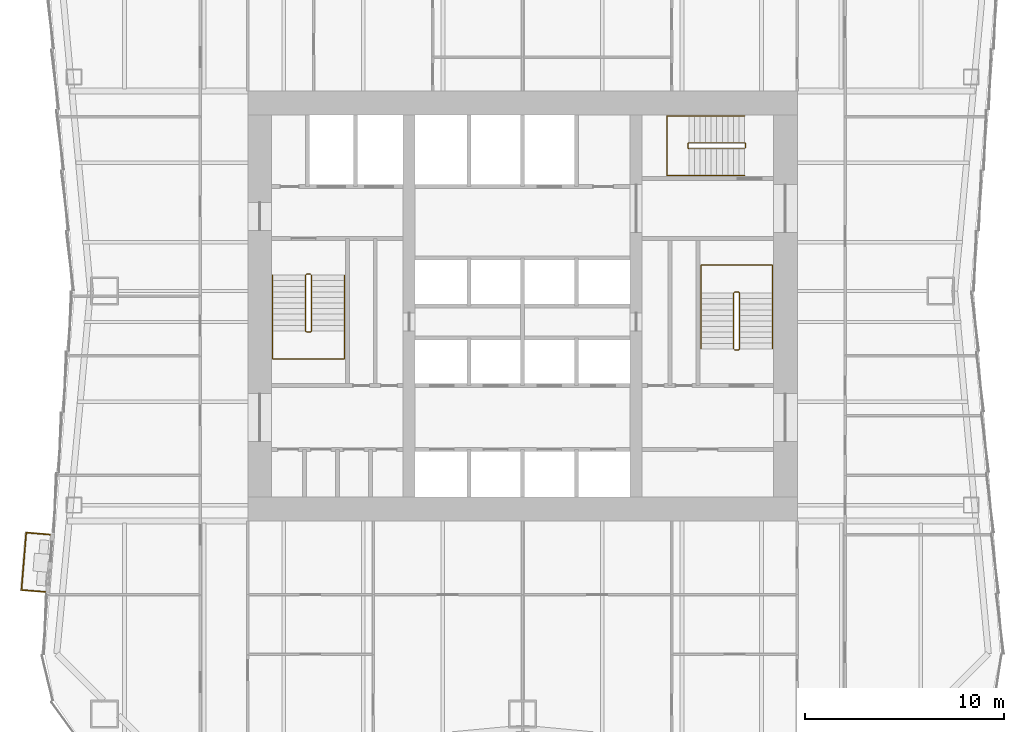
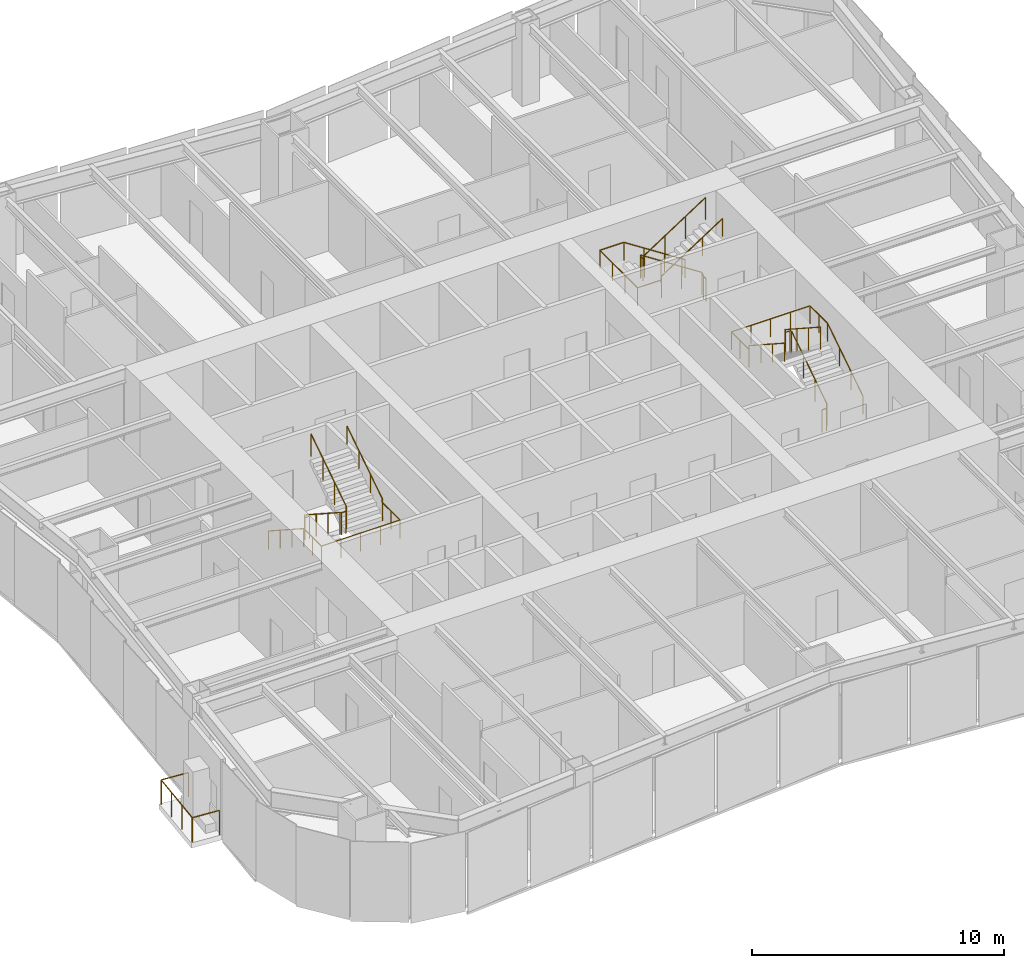
# One storey, part 8 of 9: 7 railings.
"""IFC4 building model written with IfcOpenShell, lengths in metres."""

from ifc_helpers import new_model, si_unit, direction, frame, origin, origin_2d, place, context, subcontext, project, spatial, circle, extrude, material, type_object, element, save


model = new_model("IFC4")

# Units and contexts
model_context = context("Model", 3, precision=1e-05, world=origin(), true_north=direction((0.0, 1.0)))
body_context = subcontext(model_context, "Body", "Model", "MODEL_VIEW")
ifc_project = project(units=[si_unit("LENGTHUNIT", "METRE"), si_unit("AREAUNIT", "SQUARE_METRE"), si_unit("VOLUMEUNIT", "CUBIC_METRE"), si_unit("PLANEANGLEUNIT", "RADIAN"), si_unit("MASSUNIT", "GRAM", prefix="KILO")], contexts=[model_context])

# Site, building, storey
site_placement = place(None, origin())
site = spatial("IfcSite", under=ifc_project, at=site_placement, CompositionType="ELEMENT")
building_placement = place(site_placement, origin())
building = spatial("IfcBuilding", under=site, at=building_placement, Name="Verdant Reach Tower", CompositionType="ELEMENT")
storey_placement = place(building_placement, frame((0.0, 0.0, 78.0)))
storey = spatial("IfcBuildingStorey", under=building, at=storey_placement, Name="L17", CompositionType="ELEMENT", Elevation=78.0)

# Railings
ifc_material_1 = material(Name="Stainless steel", Category="steel")
railing_type_1 = type_object("IfcRailingType", Name="CO-GUARD", PredefinedType="GUARDRAIL", material=ifc_material_1)
railing_1_placement = place(storey_placement, frame((-10.64990234375, 29.60009765625, 0.0)))
element("IfcRailing", 1, at=railing_1_placement, inside=storey, type_object=railing_type_1, Name="L17 ST-1 stair guard 1", PredefinedType="GUARDRAIL", context=body_context, shape_type="SweptSolid", body=[
    extrude(circle(Radius=0.02392578125, at=origin_2d()), frame((0.0, 0.0, 1.076171875), z_axis=(-1.0, 0.0, 0.0), x_axis=(0.0, -1.0, 0.0)), (0.0, 0.0, 1.0), 0.2001953125),
    extrude(circle(Radius=0.02392578125, at=origin_2d()), frame((-0.2001953125, 0.0, 1.076171875), z_axis=(-0.25526617399, -0.256517478764, 0.932222056972), x_axis=(0.708833529934, -0.705375805398, 0.0)), (0.0, 0.0, 1.0), 0.195068359375),
    extrude(circle(Radius=0.02392578125, at=origin_2d()), frame((-0.25, -0.050048828125, 1.2578125), z_axis=(0.0, -0.838705829183, 0.544584733623), x_axis=(1.0, 0.0, 0.0)), (0.0, 0.0, 1.0), 3.338623046875),
    extrude(circle(Radius=0.02392578125, at=origin_2d()), frame((-0.25, -2.85009765625, 3.076171875), z_axis=(0.705375805398, -0.708833529934, 0.0), x_axis=(0.708833529934, 0.705375805398, 0.0)), (0.0, 0.0, 1.0), 0.070556640625),
    extrude(circle(Radius=0.02392578125, at=origin_2d()), frame((-0.2001953125, -2.900146484375, 3.076171875), z_axis=(1.0, 0.0, 0.0), x_axis=(0.0, 1.0, 0.0)), (0.0, 0.0, 1.0), 0.2001953125),
    extrude(circle(Radius=0.02392578125, at=origin_2d()), frame((0.0, -2.900146484375, 3.076171875), z_axis=(0.25526617399, 0.256517478764, 0.932222056972), x_axis=(-0.708833529934, 0.705375805398, 0.0)), (0.0, 0.0, 1.0), 0.195068359375),
    extrude(circle(Radius=0.02392578125, at=origin_2d()), frame((0.0498046875, -2.85009765625, 3.2578125), z_axis=(0.0, 0.838705829183, 0.544584733623), x_axis=(-1.0, 0.0, 0.0)), (0.0, 0.0, 1.0), 3.338623046875),
    extrude(circle(Radius=0.02099609375, at=origin_2d()), origin(), (0.0, 0.0, 1.0), 1.052001953125),
    extrude(circle(Radius=0.02099609375, at=origin_2d()), frame((-0.2001953125, 0.0, 0.0)), (0.0, 0.0, 1.0), 1.052001953125),
    extrude(circle(Radius=0.02099609375, at=origin_2d()), frame((-0.25, -0.050048828125, 0.181884765625)), (0.0, 0.0, 1.0), 1.052001953125),
    extrude(circle(Radius=0.02099609375, at=origin_2d()), frame((-0.25, -0.9833984375, 0.787841796875)), (0.0, 0.0, 1.0), 1.052001953125),
    extrude(circle(Radius=0.02099609375, at=origin_2d()), frame((-0.25, -1.916748046875, 1.39404296875)), (0.0, 0.0, 1.0), 1.052001953125),
    extrude(circle(Radius=0.02099609375, at=origin_2d()), frame((-0.25, -2.85009765625, 2.0)), (0.0, 0.0, 1.0), 1.052001953125),
    extrude(circle(Radius=0.02099609375, at=origin_2d()), frame((-0.2001953125, -2.900146484375, 2.0)), (0.0, 0.0, 1.0), 1.052001953125),
    extrude(circle(Radius=0.02099609375, at=origin_2d()), frame((0.0, -2.900146484375, 2.0)), (0.0, 0.0, 1.0), 1.052001953125),
    extrude(circle(Radius=0.02099609375, at=origin_2d()), frame((0.0498046875, -2.85009765625, 2.181884765625)), (0.0, 0.0, 1.0), 1.052001953125),
    extrude(circle(Radius=0.02099609375, at=origin_2d()), frame((0.0498046875, -1.916748046875, 2.787841796875)), (0.0, 0.0, 1.0), 1.052001953125),
    extrude(circle(Radius=0.02099609375, at=origin_2d()), frame((0.0498046875, -0.9833984375, 3.39404296875)), (0.0, 0.0, 1.0), 1.052001953125),
    extrude(circle(Radius=0.02099609375, at=origin_2d()), frame((0.0498046875, -0.050048828125, 4.0)), (0.0, 0.0, 1.0), 1.052001953125),
])
railing_2_placement = place(storey_placement, frame((10.64990234375, 25.800048828125, 0.0)))
element("IfcRailing", 2, at=railing_2_placement, inside=storey, type_object=railing_type_1, Name="L17 ST-2 stair guard 1", PredefinedType="GUARDRAIL", context=body_context, shape_type="SweptSolid", body=[
    extrude(circle(Radius=0.02392578125, at=origin_2d()), frame((0.0, 0.0, 1.076171875), z_axis=(1.0, 0.0, 0.0), x_axis=(0.0, 1.0, 0.0)), (0.0, 0.0, 1.0), 0.2001953125),
    extrude(circle(Radius=0.02392578125, at=origin_2d()), frame((0.2001953125, 0.0, 1.076171875), z_axis=(0.25526617399, 0.256517478764, 0.932222056972), x_axis=(-0.708833529934, 0.705375805398, 0.0)), (0.0, 0.0, 1.0), 0.195068359375),
    extrude(circle(Radius=0.02392578125, at=origin_2d()), frame((0.25, 0.050048828125, 1.2578125), z_axis=(0.0, 0.83868413941, 0.544618136222), x_axis=(-1.0, 0.0, 0.0)), (0.0, 0.0, 1.0), 3.33837890625),
    extrude(circle(Radius=0.02392578125, at=origin_2d()), frame((0.25, 2.849853515625, 3.076171875), z_axis=(-0.705375805398, 0.708833529934, 0.0), x_axis=(-0.708833529934, -0.705375805398, 0.0)), (0.0, 0.0, 1.0), 0.070556640625),
    extrude(circle(Radius=0.02392578125, at=origin_2d()), frame((0.2001953125, 2.89990234375, 3.076171875), z_axis=(-1.0, 0.0, 0.0), x_axis=(0.0, -1.0, 0.0)), (0.0, 0.0, 1.0), 0.2001953125),
    extrude(circle(Radius=0.02392578125, at=origin_2d()), frame((0.0, 2.89990234375, 3.076171875), z_axis=(-0.25526617399, -0.256517478764, 0.932222056972), x_axis=(0.708833529934, -0.705375805398, 0.0)), (0.0, 0.0, 1.0), 0.195068359375),
    extrude(circle(Radius=0.02392578125, at=origin_2d()), frame((-0.0498046875, 2.849853515625, 3.2578125), z_axis=(0.0, -0.83868413941, 0.544618136222), x_axis=(1.0, 0.0, 0.0)), (0.0, 0.0, 1.0), 3.33837890625),
    extrude(circle(Radius=0.02099609375, at=origin_2d()), origin(), (0.0, 0.0, 1.0), 1.052001953125),
    extrude(circle(Radius=0.02099609375, at=origin_2d()), frame((0.2001953125, 0.0, 0.0)), (0.0, 0.0, 1.0), 1.052001953125),
    extrude(circle(Radius=0.02099609375, at=origin_2d()), frame((0.25, 0.050048828125, 0.181884765625)), (0.0, 0.0, 1.0), 1.052001953125),
    extrude(circle(Radius=0.02099609375, at=origin_2d()), frame((0.25, 0.9833984375, 0.787841796875)), (0.0, 0.0, 1.0), 1.052001953125),
    extrude(circle(Radius=0.02099609375, at=origin_2d()), frame((0.25, 1.91650390625, 1.39404296875)), (0.0, 0.0, 1.0), 1.052001953125),
    extrude(circle(Radius=0.02099609375, at=origin_2d()), frame((0.25, 2.849853515625, 2.0)), (0.0, 0.0, 1.0), 1.052001953125),
    extrude(circle(Radius=0.02099609375, at=origin_2d()), frame((0.2001953125, 2.89990234375, 2.0)), (0.0, 0.0, 1.0), 1.052001953125),
    extrude(circle(Radius=0.02099609375, at=origin_2d()), frame((0.0, 2.89990234375, 2.0)), (0.0, 0.0, 1.0), 1.052001953125),
    extrude(circle(Radius=0.02099609375, at=origin_2d()), frame((-0.0498046875, 2.849853515625, 2.181884765625)), (0.0, 0.0, 1.0), 1.052001953125),
    extrude(circle(Radius=0.02099609375, at=origin_2d()), frame((-0.0498046875, 1.91650390625, 2.787841796875)), (0.0, 0.0, 1.0), 1.052001953125),
    extrude(circle(Radius=0.02099609375, at=origin_2d()), frame((-0.0498046875, 0.9833984375, 3.39404296875)), (0.0, 0.0, 1.0), 1.052001953125),
    extrude(circle(Radius=0.02099609375, at=origin_2d()), frame((-0.0498046875, 0.050048828125, 4.0)), (0.0, 0.0, 1.0), 1.052001953125),
])
railing_3_placement = place(storey_placement, frame((11.199951171875, 35.949951171875, 0.0)))
element("IfcRailing", 3, at=railing_3_placement, inside=storey, type_object=railing_type_1, Name="L17 ST-3 stair guard 1", PredefinedType="GUARDRAIL", context=body_context, shape_type="SweptSolid", body=[
    extrude(circle(Radius=0.02392578125, at=origin_2d()), frame((0.0, 0.0, 1.076171875), z_axis=(0.0, 1.0, 0.0), x_axis=(-1.0, 0.0, 0.0)), (0.0, 0.0, 1.0), 0.199951171875),
    extrude(circle(Radius=0.02392578125, at=origin_2d()), frame((0.0, 0.199951171875, 1.076171875), z_axis=(-0.256435381639, 0.256435381639, 0.931923704005), x_axis=(-0.707106781187, -0.707106781187, 0.0)), (0.0, 0.0, 1.0), 0.195068359375),
    extrude(circle(Radius=0.02392578125, at=origin_2d()), frame((-0.050048828125, 0.25, 1.2578125), z_axis=(-0.83868413941, 0.0, 0.544618136222), x_axis=(0.0, -1.0, 0.0)), (0.0, 0.0, 1.0), 3.33837890625),
    extrude(circle(Radius=0.02392578125, at=origin_2d()), frame((-2.849853515625, 0.25, 3.076171875), z_axis=(-0.707106781187, -0.707106781187, 0.0), x_axis=(0.707106781187, -0.707106781187, 0.0)), (0.0, 0.0, 1.0), 0.07080078125),
    extrude(circle(Radius=0.02392578125, at=origin_2d()), frame((-2.89990234375, 0.199951171875, 3.076171875), z_axis=(0.0, -1.0, 0.0), x_axis=(1.0, 0.0, 0.0)), (0.0, 0.0, 1.0), 0.199951171875),
    extrude(circle(Radius=0.02392578125, at=origin_2d()), frame((-2.89990234375, 0.0, 3.076171875), z_axis=(0.256435381639, -0.256435381639, 0.931923704005), x_axis=(0.707106781187, 0.707106781187, 0.0)), (0.0, 0.0, 1.0), 0.195068359375),
    extrude(circle(Radius=0.02392578125, at=origin_2d()), frame((-2.849853515625, -0.050048828125, 3.2578125), z_axis=(0.83868413941, 0.0, 0.544618136222), x_axis=(0.0, 1.0, 0.0)), (0.0, 0.0, 1.0), 3.33837890625),
    extrude(circle(Radius=0.02099609375, at=origin_2d()), origin(), (0.0, 0.0, 1.0), 1.052001953125),
    extrude(circle(Radius=0.02099609375, at=origin_2d()), frame((0.0, 0.199951171875, 0.0)), (0.0, 0.0, 1.0), 1.052001953125),
    extrude(circle(Radius=0.02099609375, at=origin_2d()), frame((-0.050048828125, 0.25, 0.181884765625)), (0.0, 0.0, 1.0), 1.052001953125),
    extrude(circle(Radius=0.02099609375, at=origin_2d()), frame((-0.9833984375, 0.25, 0.787841796875)), (0.0, 0.0, 1.0), 1.052001953125),
    extrude(circle(Radius=0.02099609375, at=origin_2d()), frame((-1.91650390625, 0.25, 1.39404296875)), (0.0, 0.0, 1.0), 1.052001953125),
    extrude(circle(Radius=0.02099609375, at=origin_2d()), frame((-2.849853515625, 0.25, 2.0)), (0.0, 0.0, 1.0), 1.052001953125),
    extrude(circle(Radius=0.02099609375, at=origin_2d()), frame((-2.89990234375, 0.199951171875, 2.0)), (0.0, 0.0, 1.0), 1.052001953125),
    extrude(circle(Radius=0.02099609375, at=origin_2d()), frame((-2.89990234375, 0.0, 2.0)), (0.0, 0.0, 1.0), 1.052001953125),
    extrude(circle(Radius=0.02099609375, at=origin_2d()), frame((-2.849853515625, -0.050048828125, 2.181884765625)), (0.0, 0.0, 1.0), 1.052001953125),
    extrude(circle(Radius=0.02099609375, at=origin_2d()), frame((-1.91650390625, -0.050048828125, 2.787841796875)), (0.0, 0.0, 1.0), 1.052001953125),
    extrude(circle(Radius=0.02099609375, at=origin_2d()), frame((-0.9833984375, -0.050048828125, 3.39404296875)), (0.0, 0.0, 1.0), 1.052001953125),
    extrude(circle(Radius=0.02099609375, at=origin_2d()), frame((-0.050048828125, -0.050048828125, 4.0)), (0.0, 0.0, 1.0), 1.052001953125),
])
railing_type_2 = type_object("IfcRailingType", Name="CO-HANDRAIL", PredefinedType="HANDRAIL", material=ifc_material_1)
railing_4_placement = place(storey_placement, frame((-12.550048828125, 29.550048828125, 0.181884765625)))
element("IfcRailing", 4, at=railing_4_placement, inside=storey, type_object=railing_type_2, Name="L17 ST-1 stair handrail 1", PredefinedType="HANDRAIL", context=body_context, shape_type="SweptSolid", body=[
    extrude(circle(Radius=0.02392578125, at=origin_2d()), frame((0.0, 0.0, 0.8759765625), z_axis=(0.0, -0.838705829183, 0.544584733623), x_axis=(1.0, 0.0, 0.0)), (0.0, 0.0, 1.0), 3.338623046875),
    extrude(circle(Radius=0.02392578125, at=origin_2d()), frame((0.0, -2.800048828125, 2.69384765625), z_axis=(0.0, -1.0, 0.0), x_axis=(1.0, 0.0, 0.0)), (0.0, 0.0, 1.0), 1.39990234375),
    extrude(circle(Radius=0.02392578125, at=origin_2d()), frame((0.0, -4.199951171875, 2.69384765625), z_axis=(1.0, 0.0, 0.0), x_axis=(0.0, 1.0, 0.0)), (0.0, 0.0, 1.0), 3.60009765625),
    extrude(circle(Radius=0.02392578125, at=origin_2d()), frame((3.60009765625, -4.199951171875, 2.69384765625), z_axis=(0.0, 1.0, 0.0), x_axis=(-1.0, 0.0, 0.0)), (0.0, 0.0, 1.0), 1.39990234375),
    extrude(circle(Radius=0.02392578125, at=origin_2d()), frame((3.60009765625, -2.800048828125, 2.69384765625), z_axis=(0.0, 0.0, 1.0), x_axis=(1.0, 0.0, 0.0)), (0.0, 0.0, 1.0), 0.181884765625),
    extrude(circle(Radius=0.02392578125, at=origin_2d()), frame((3.60009765625, -2.800048828125, 2.8759765625), z_axis=(0.0, 0.838705829183, 0.544584733623), x_axis=(-1.0, 0.0, 0.0)), (0.0, 0.0, 1.0), 3.338623046875),
    extrude(circle(Radius=0.02099609375, at=origin_2d()), origin(), (0.0, 0.0, 1.0), 0.851806640625),
    extrude(circle(Radius=0.02099609375, at=origin_2d()), frame((0.0, -0.933349609375, 0.60595703125)), (0.0, 0.0, 1.0), 0.851806640625),
    extrude(circle(Radius=0.02099609375, at=origin_2d()), frame((0.0, -1.86669921875, 1.212158203125)), (0.0, 0.0, 1.0), 0.851806640625),
    extrude(circle(Radius=0.02099609375, at=origin_2d()), frame((0.0, -2.800048828125, 1.818115234375)), (0.0, 0.0, 1.0), 0.851806640625),
    extrude(circle(Radius=0.02099609375, at=origin_2d()), frame((0.0, -3.5, 1.818115234375)), (0.0, 0.0, 1.0), 0.851806640625),
    extrude(circle(Radius=0.02099609375, at=origin_2d()), frame((0.0, -4.199951171875, 1.818115234375)), (0.0, 0.0, 1.0), 0.851806640625),
    extrude(circle(Radius=0.02099609375, at=origin_2d()), frame((0.89990234375, -4.199951171875, 1.818115234375)), (0.0, 0.0, 1.0), 0.851806640625),
    extrude(circle(Radius=0.02099609375, at=origin_2d()), frame((1.800048828125, -4.199951171875, 1.818115234375)), (0.0, 0.0, 1.0), 0.851806640625),
    extrude(circle(Radius=0.02099609375, at=origin_2d()), frame((2.7001953125, -4.199951171875, 1.818115234375)), (0.0, 0.0, 1.0), 0.851806640625),
    extrude(circle(Radius=0.02099609375, at=origin_2d()), frame((3.60009765625, -4.199951171875, 1.818115234375)), (0.0, 0.0, 1.0), 0.851806640625),
    extrude(circle(Radius=0.02099609375, at=origin_2d()), frame((3.60009765625, -3.5, 1.818115234375)), (0.0, 0.0, 1.0), 0.851806640625),
    extrude(circle(Radius=0.02099609375, at=origin_2d()), frame((3.60009765625, -2.800048828125, 1.818115234375)), (0.0, 0.0, 1.0), 0.851806640625),
    extrude(circle(Radius=0.02099609375, at=origin_2d()), frame((3.60009765625, -2.800048828125, 2.0)), (0.0, 0.0, 1.0), 0.851806640625),
    extrude(circle(Radius=0.02099609375, at=origin_2d()), frame((3.60009765625, -1.86669921875, 2.60595703125)), (0.0, 0.0, 1.0), 0.851806640625),
    extrude(circle(Radius=0.02099609375, at=origin_2d()), frame((3.60009765625, -0.933349609375, 3.212158203125)), (0.0, 0.0, 1.0), 0.851806640625),
    extrude(circle(Radius=0.02099609375, at=origin_2d()), frame((3.60009765625, 0.0, 3.818115234375)), (0.0, 0.0, 1.0), 0.851806640625),
])
railing_5_placement = place(storey_placement, frame((12.550048828125, 25.85009765625, 0.181884765625)))
element("IfcRailing", 5, at=railing_5_placement, inside=storey, type_object=railing_type_2, Name="L17 ST-2 stair handrail 1", PredefinedType="HANDRAIL", context=body_context, shape_type="SweptSolid", body=[
    extrude(circle(Radius=0.02392578125, at=origin_2d()), frame((0.0, 0.0, 0.8759765625), z_axis=(0.0, 0.83868413941, 0.544618136222), x_axis=(-1.0, 0.0, 0.0)), (0.0, 0.0, 1.0), 3.33837890625),
    extrude(circle(Radius=0.02392578125, at=origin_2d()), frame((0.0, 2.7998046875, 2.69384765625), z_axis=(0.0, 1.0, 0.0), x_axis=(-1.0, 0.0, 0.0)), (0.0, 0.0, 1.0), 1.400146484375),
    extrude(circle(Radius=0.02392578125, at=origin_2d()), frame((0.0, 4.199951171875, 2.69384765625), z_axis=(-1.0, 0.0, 0.0), x_axis=(0.0, -1.0, 0.0)), (0.0, 0.0, 1.0), 3.60009765625),
    extrude(circle(Radius=0.02392578125, at=origin_2d()), frame((-3.60009765625, 4.199951171875, 2.69384765625), z_axis=(0.0, -1.0, 0.0), x_axis=(1.0, 0.0, 0.0)), (0.0, 0.0, 1.0), 1.400146484375),
    extrude(circle(Radius=0.02392578125, at=origin_2d()), frame((-3.60009765625, 2.7998046875, 2.69384765625), z_axis=(0.0, 0.0, 1.0), x_axis=(1.0, 0.0, 0.0)), (0.0, 0.0, 1.0), 0.181884765625),
    extrude(circle(Radius=0.02392578125, at=origin_2d()), frame((-3.60009765625, 2.7998046875, 2.8759765625), z_axis=(0.0, -0.83868413941, 0.544618136222), x_axis=(1.0, 0.0, 0.0)), (0.0, 0.0, 1.0), 3.33837890625),
    extrude(circle(Radius=0.02099609375, at=origin_2d()), origin(), (0.0, 0.0, 1.0), 0.851806640625),
    extrude(circle(Radius=0.02099609375, at=origin_2d()), frame((0.0, 0.933349609375, 0.60595703125)), (0.0, 0.0, 1.0), 0.851806640625),
    extrude(circle(Radius=0.02099609375, at=origin_2d()), frame((0.0, 1.866455078125, 1.212158203125)), (0.0, 0.0, 1.0), 0.851806640625),
    extrude(circle(Radius=0.02099609375, at=origin_2d()), frame((0.0, 2.7998046875, 1.818115234375)), (0.0, 0.0, 1.0), 0.851806640625),
    extrude(circle(Radius=0.02099609375, at=origin_2d()), frame((0.0, 3.5, 1.818115234375)), (0.0, 0.0, 1.0), 0.851806640625),
    extrude(circle(Radius=0.02099609375, at=origin_2d()), frame((0.0, 4.199951171875, 1.818115234375)), (0.0, 0.0, 1.0), 0.851806640625),
    extrude(circle(Radius=0.02099609375, at=origin_2d()), frame((-0.89990234375, 4.199951171875, 1.818115234375)), (0.0, 0.0, 1.0), 0.851806640625),
    extrude(circle(Radius=0.02099609375, at=origin_2d()), frame((-1.800048828125, 4.199951171875, 1.818115234375)), (0.0, 0.0, 1.0), 0.851806640625),
    extrude(circle(Radius=0.02099609375, at=origin_2d()), frame((-2.7001953125, 4.199951171875, 1.818115234375)), (0.0, 0.0, 1.0), 0.851806640625),
    extrude(circle(Radius=0.02099609375, at=origin_2d()), frame((-3.60009765625, 4.199951171875, 1.818115234375)), (0.0, 0.0, 1.0), 0.851806640625),
    extrude(circle(Radius=0.02099609375, at=origin_2d()), frame((-3.60009765625, 3.5, 1.818115234375)), (0.0, 0.0, 1.0), 0.851806640625),
    extrude(circle(Radius=0.02099609375, at=origin_2d()), frame((-3.60009765625, 2.7998046875, 1.818115234375)), (0.0, 0.0, 1.0), 0.851806640625),
    extrude(circle(Radius=0.02099609375, at=origin_2d()), frame((-3.60009765625, 2.7998046875, 2.0)), (0.0, 0.0, 1.0), 0.851806640625),
    extrude(circle(Radius=0.02099609375, at=origin_2d()), frame((-3.60009765625, 1.866455078125, 2.60595703125)), (0.0, 0.0, 1.0), 0.851806640625),
    extrude(circle(Radius=0.02099609375, at=origin_2d()), frame((-3.60009765625, 0.933349609375, 3.212158203125)), (0.0, 0.0, 1.0), 0.851806640625),
    extrude(circle(Radius=0.02099609375, at=origin_2d()), frame((-3.60009765625, 0.0, 3.818115234375)), (0.0, 0.0, 1.0), 0.851806640625),
])
railing_6_placement = place(storey_placement, frame((11.14990234375, 37.550048828125, 0.181884765625)))
element("IfcRailing", 6, at=railing_6_placement, inside=storey, type_object=railing_type_2, Name="L17 ST-3 stair handrail 1", PredefinedType="HANDRAIL", context=body_context, shape_type="SweptSolid", body=[
    extrude(circle(Radius=0.02392578125, at=origin_2d()), frame((0.0, 0.0, 0.8759765625), z_axis=(-0.83868413941, 0.0, 0.544618136222), x_axis=(0.0, -1.0, 0.0)), (0.0, 0.0, 1.0), 3.33837890625),
    extrude(circle(Radius=0.02392578125, at=origin_2d()), frame((-2.7998046875, 0.0, 2.69384765625), z_axis=(-1.0, 0.0, 0.0), x_axis=(0.0, -1.0, 0.0)), (0.0, 0.0, 1.0), 1.10009765625),
    extrude(circle(Radius=0.02392578125, at=origin_2d()), frame((-3.89990234375, 0.0, 2.69384765625), z_axis=(0.0, -1.0, 0.0), x_axis=(1.0, 0.0, 0.0)), (0.0, 0.0, 1.0), 3.0),
    extrude(circle(Radius=0.02392578125, at=origin_2d()), frame((-3.89990234375, -3.0, 2.69384765625), z_axis=(1.0, 0.0, 0.0), x_axis=(0.0, 1.0, 0.0)), (0.0, 0.0, 1.0), 1.10009765625),
    extrude(circle(Radius=0.02392578125, at=origin_2d()), frame((-2.7998046875, -3.0, 2.69384765625), z_axis=(0.0, 0.0, 1.0), x_axis=(1.0, 0.0, 0.0)), (0.0, 0.0, 1.0), 0.181884765625),
    extrude(circle(Radius=0.02392578125, at=origin_2d()), frame((-2.7998046875, -3.0, 2.8759765625), z_axis=(0.83868413941, 0.0, 0.544618136222), x_axis=(0.0, 1.0, 0.0)), (0.0, 0.0, 1.0), 3.33837890625),
    extrude(circle(Radius=0.02099609375, at=origin_2d()), origin(), (0.0, 0.0, 1.0), 0.851806640625),
    extrude(circle(Radius=0.02099609375, at=origin_2d()), frame((-0.933349609375, 0.0, 0.60595703125)), (0.0, 0.0, 1.0), 0.851806640625),
    extrude(circle(Radius=0.02099609375, at=origin_2d()), frame((-1.866455078125, 0.0, 1.212158203125)), (0.0, 0.0, 1.0), 0.851806640625),
    extrude(circle(Radius=0.02099609375, at=origin_2d()), frame((-2.7998046875, 0.0, 1.818115234375)), (0.0, 0.0, 1.0), 0.851806640625),
    extrude(circle(Radius=0.02099609375, at=origin_2d()), frame((-3.89990234375, 0.0, 1.818115234375)), (0.0, 0.0, 1.0), 0.851806640625),
    extrude(circle(Radius=0.02099609375, at=origin_2d()), frame((-3.89990234375, -1.0, 1.818115234375)), (0.0, 0.0, 1.0), 0.851806640625),
    extrude(circle(Radius=0.02099609375, at=origin_2d()), frame((-3.89990234375, -2.0, 1.818115234375)), (0.0, 0.0, 1.0), 0.851806640625),
    extrude(circle(Radius=0.02099609375, at=origin_2d()), frame((-3.89990234375, -3.0, 1.818115234375)), (0.0, 0.0, 1.0), 0.851806640625),
    extrude(circle(Radius=0.02099609375, at=origin_2d()), frame((-2.7998046875, -3.0, 1.818115234375)), (0.0, 0.0, 1.0), 0.851806640625),
    extrude(circle(Radius=0.02099609375, at=origin_2d()), frame((-2.7998046875, -3.0, 2.0)), (0.0, 0.0, 1.0), 0.851806640625),
    extrude(circle(Radius=0.02099609375, at=origin_2d()), frame((-1.866455078125, -3.0, 2.60595703125)), (0.0, 0.0, 1.0), 0.851806640625),
    extrude(circle(Radius=0.02099609375, at=origin_2d()), frame((-0.933349609375, -3.0, 3.212158203125)), (0.0, 0.0, 1.0), 0.851806640625),
    extrude(circle(Radius=0.02099609375, at=origin_2d()), frame((0.0, -3.0, 3.818115234375)), (0.0, 0.0, 1.0), 0.851806640625),
])
ifc_material_2 = material(Name="Stainless steel and laminated glass balustrade", Category="steel")
railing_type_3 = type_object("IfcRailingType", Name="EN-RAILING BALCONY", PredefinedType="GUARDRAIL", material=ifc_material_2)
railing_7_placement = place(storey_placement, frame((-23.741943359375, 16.52197265625, 0.0)))
element("IfcRailing", 7, at=railing_7_placement, inside=storey, type_object=railing_type_3, Name="Balcony guard 1, L17", PredefinedType="GUARDRAIL", context=body_context, shape_type="SweptSolid", body=[
    extrude(circle(Radius=0.02490234375, at=origin_2d()), frame((0.0, 0.0, 1.1748046875), z_axis=(-0.996649328179, 0.081793133211, 0.0), x_axis=(-0.081793133211, -0.996649328179, 0.0)), (0.0, 0.0, 1.0), 1.19384765625),
    extrude(circle(Radius=0.02490234375, at=origin_2d()), frame((-1.18994140625, 0.09765625, 1.1748046875), z_axis=(-0.081863827639, -0.996643523896, 0.0), x_axis=(0.996643523896, -0.081863827639, 0.0)), (0.0, 0.0, 1.0), 2.889892578125),
    extrude(circle(Radius=0.02490234375, at=origin_2d()), frame((-1.426513671875, -2.782470703125, 1.1748046875), z_axis=(0.996649328179, -0.081793133211, 0.0), x_axis=(0.081793133211, 0.996649328179, 0.0)), (0.0, 0.0, 1.0), 1.19384765625),
    extrude(circle(Radius=0.02490234375, at=origin_2d()), origin(), (0.0, 0.0, 1.0), 1.14990234375),
    extrude(circle(Radius=0.02490234375, at=origin_2d()), frame((-1.18994140625, 0.09765625, 0.0)), (0.0, 0.0, 1.0), 1.14990234375),
    extrude(circle(Radius=0.02490234375, at=origin_2d()), frame((-1.268798828125, -0.8623046875, 0.0)), (0.0, 0.0, 1.0), 1.14990234375),
    extrude(circle(Radius=0.02490234375, at=origin_2d()), frame((-1.34765625, -1.822509765625, 0.0)), (0.0, 0.0, 1.0), 1.14990234375),
    extrude(circle(Radius=0.02490234375, at=origin_2d()), frame((-1.426513671875, -2.782470703125, 0.0)), (0.0, 0.0, 1.0), 1.14990234375),
    extrude(circle(Radius=0.02490234375, at=origin_2d()), frame((-0.236572265625, -2.880126953125, 0.0)), (0.0, 0.0, 1.0), 1.14990234375),
])

save(model, "model.ifc")
